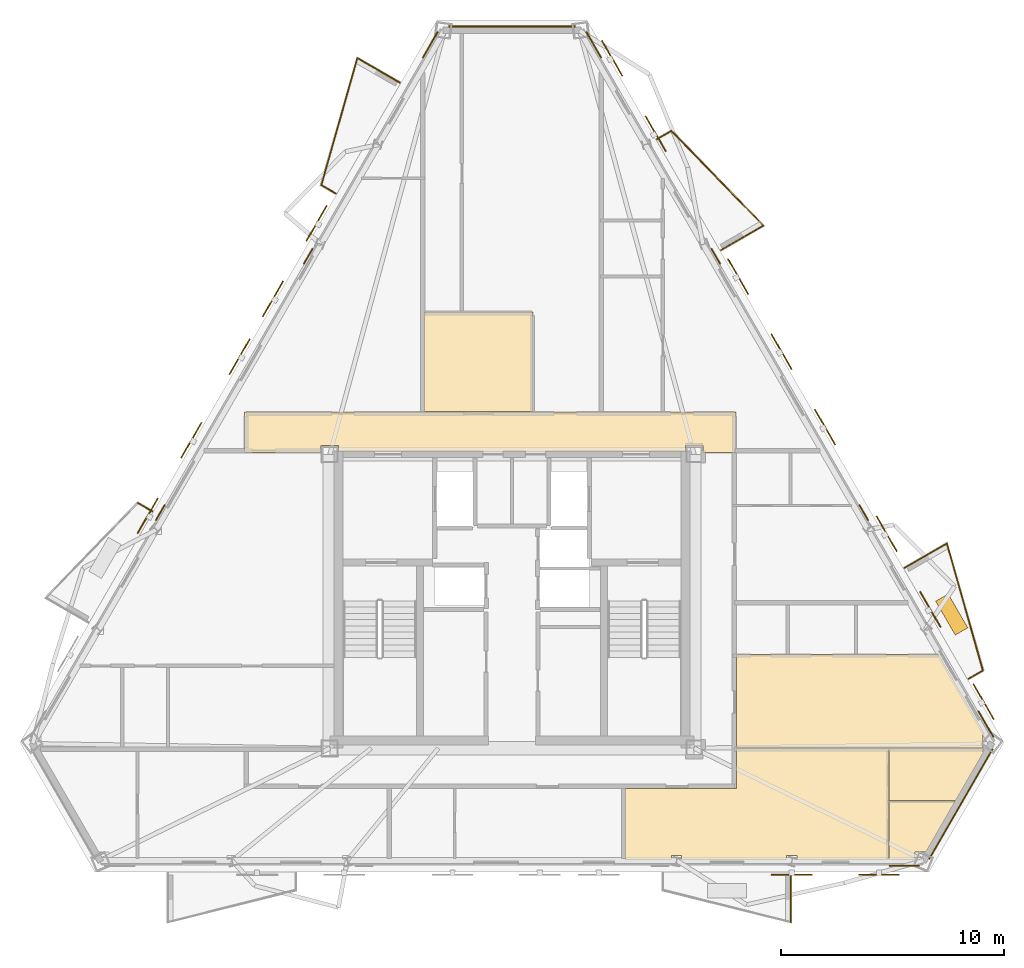
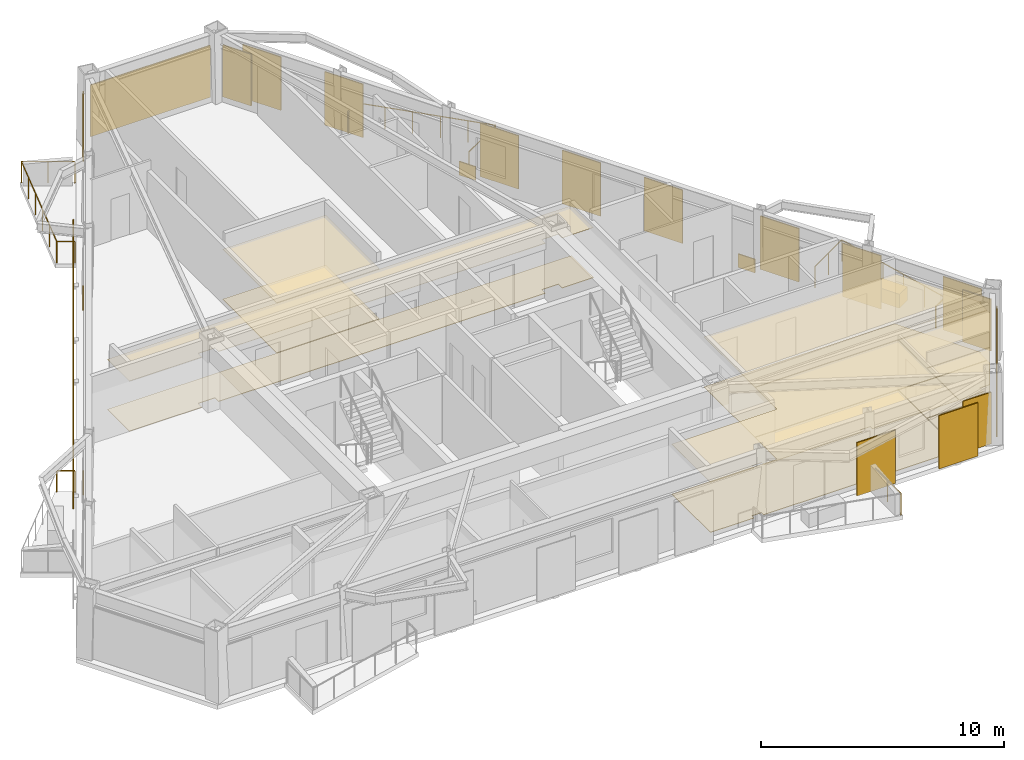
# One storey, part 9 of 9: 23 coverings, 15 shading devices, 11 railings.
"""IFC4 building model written with IfcOpenShell, lengths in metres."""

import ifcopenshell
import ifcopenshell.guid

model = None  # the IFC model being written
_history = None  # IfcOwnerHistory: only IFC2X3 demands one
_inside = {}  # id of a spatial element -> (the spatial element, [elements in it])
_under = {}  # id of a project, library or spatial element -> (it, [spatial elements below it])
_declared = {}  # id of a project -> (the project, [libraries it declares])
_typed = {}  # id of a type object -> (the type object, [elements of that type])
_made_of = {}  # id of a material, layer set ... -> (it, [elements and type objects made of it])


def new_model(schema):
    """Start an empty IFC model of exactly this schema.

    Asked for "IFC4X3", IfcOpenShell would pick the latest addendum, in which some entities
    have other attributes; the version numbers below select the first issue.
    IFC2X3 requires an IfcOwnerHistory on every rooted entity: one is made here for all.
    """
    global model, _history
    if schema == "IFC4X3":
        model = ifcopenshell.file(schema_version=(4, 3, 0, 0))
    else:
        model = ifcopenshell.file(schema=schema)
    _inside.clear()
    _under.clear()
    _declared.clear()
    _typed.clear()
    _made_of.clear()
    _history = None
    if model.schema == "IFC2X3":
        org = make("IfcOrganization", Name="unknown")
        user = make(
            "IfcPersonAndOrganization",
            ThePerson=make("IfcPerson", FamilyName="unknown"),
            TheOrganization=org,
        )
        app = make(
            "IfcApplication",
            ApplicationDeveloper=org,
            Version="unknown",
            ApplicationFullName="unknown",
            ApplicationIdentifier="unknown",
        )
        _history = make(
            "IfcOwnerHistory",
            OwningUser=user,
            OwningApplication=app,
            ChangeAction="ADDED",
            CreationDate=0,
        )
    return model


def make(cls, **values):
    """One entity of the class cls with the attributes given. An attribute that is None is left unset."""
    return model.create_entity(
        cls, **{name: value for name, value in values.items() if value is not None}
    )


def rooted(cls, **values):
    """An entity with a GlobalId (a new one), such as an element, a storey or a relation."""
    return make(cls, GlobalId=ifcopenshell.guid.new(), OwnerHistory=_history, **values)


def si_unit(unit_type, name, prefix=None):
    """IfcSIUnit, for example si_unit("LENGTHUNIT", "METRE", prefix="MILLI")."""
    return make("IfcSIUnit", UnitType=unit_type, Prefix=prefix, Name=name)


def assignment(units):
    """IfcUnitAssignment: the units of a project."""
    return None if units is None else make("IfcUnitAssignment", Units=units)


def point(xyz):
    """IfcCartesianPoint."""
    return None if xyz is None else make("IfcCartesianPoint", Coordinates=xyz)


def direction(xyz):
    """IfcDirection."""
    return None if xyz is None else make("IfcDirection", DirectionRatios=xyz)


def frame(location, z_axis=None, x_axis=None):
    """IfcAxis2Placement3D, a coordinate frame: its origin and axes. An axis left out is left unset."""
    return make(
        "IfcAxis2Placement3D",
        Location=point(location),
        Axis=direction(z_axis),
        RefDirection=direction(x_axis),
    )


def frame_2d(location, x_axis=None):
    """IfcAxis2Placement2D, a coordinate frame in the plane: its origin and x axis."""
    return make(
        "IfcAxis2Placement2D", Location=point(location), RefDirection=direction(x_axis)
    )


def origin():
    """The frame at (0, 0, 0) with its axes left unset."""
    return frame((0.0, 0.0, 0.0))


def origin_2d():
    """The frame at (0, 0) in the plane with its x axis left unset."""
    return frame_2d((0.0, 0.0))


def place(relative_to, where):
    """IfcLocalPlacement: puts the frame where relative to a parent placement (None: the world)."""
    return make(
        "IfcLocalPlacement", PlacementRelTo=relative_to, RelativePlacement=where
    )


def context(
    kind, dimensions, precision=None, world=None, true_north=None, identifier=None
):
    """IfcGeometricRepresentationContext, for example the 3D "Model" context."""
    return make(
        "IfcGeometricRepresentationContext",
        ContextIdentifier=identifier,
        ContextType=kind,
        CoordinateSpaceDimension=dimensions,
        Precision=precision,
        WorldCoordinateSystem=world,
        TrueNorth=true_north,
    )


def subcontext(parent, identifier, kind, view, scale=None):
    """IfcGeometricRepresentationSubContext, for example "Body" below "Model"."""
    return make(
        "IfcGeometricRepresentationSubContext",
        ContextIdentifier=identifier,
        ContextType=kind,
        ParentContext=parent,
        TargetScale=scale,
        TargetView=view,
    )


def project(units=None, contexts=None):
    """IfcProject with its units and contexts."""
    return rooted(
        "IfcProject",
        Name="project",
        RepresentationContexts=contexts,
        UnitsInContext=assignment(units),
    )


def spatial(cls, under=None, at=None, **own):
    """A site, building, storey or space (cls), placed at a placement, below another one or the project."""
    s = rooted(cls, ObjectPlacement=at, **own)
    if under is not None:
        _under.setdefault(under.id(), (under, []))[1].append(s)
    return s


def polyline(points):
    """IfcPolyline through the points."""
    return make("IfcPolyline", Points=[point(p) for p in points])


def profile(cls, at=None, kind="AREA", **sizes):
    """A parametric profile (cls). Its sizes go by their IFC names, for example OverallWidth=200.0."""
    return make(cls, ProfileType=kind, Position=at, **sizes)


def rectangle(**sizes):
    """IfcRectangleProfileDef."""
    return profile("IfcRectangleProfileDef", **sizes)


def circle(**sizes):
    """IfcCircleProfileDef."""
    return profile("IfcCircleProfileDef", **sizes)


def outline(outer, holes=None, kind="AREA"):
    """IfcArbitraryClosedProfileDef: a profile drawn as a closed curve; with holes, ...WithVoids."""
    if holes is None:
        return make("IfcArbitraryClosedProfileDef", ProfileType=kind, OuterCurve=outer)
    return make(
        "IfcArbitraryProfileDefWithVoids",
        ProfileType=kind,
        OuterCurve=outer,
        InnerCurves=holes,
    )


def extrude(swept, where, along, depth):
    """IfcExtrudedAreaSolid: the profile swept, set in the frame where, extruded along a direction by depth."""
    return make(
        "IfcExtrudedAreaSolid",
        SweptArea=swept,
        Position=where,
        ExtrudedDirection=direction(along),
        Depth=depth,
    )


def shape(context_of_items, identifier, shape_type, items):
    """IfcShapeRepresentation: the items that make up one representation, for example the "Body"."""
    return make(
        "IfcShapeRepresentation",
        ContextOfItems=context_of_items,
        RepresentationIdentifier=identifier,
        RepresentationType=shape_type,
        Items=items,
    )


def material(Name=None, Category=None):
    """IfcMaterial."""
    return make("IfcMaterial", Name=Name, Category=Category)


def layer(
    of_material, thickness, ventilated=None, Name=None, Category=None, Priority=None
):
    """IfcMaterialLayer: one layer of a wall or slab, of a material (None: an air gap)."""
    return make(
        "IfcMaterialLayer",
        Material=of_material,
        LayerThickness=thickness,
        IsVentilated=ventilated,
        Name=Name,
        Category=Category,
        Priority=Priority,
    )


def layer_set(layers, Name=None):
    """IfcMaterialLayerSet."""
    return make("IfcMaterialLayerSet", MaterialLayers=layers, LayerSetName=Name)


def made_of(thing, what):
    """Note that an element or type object is made of a material, layer set ...; save() writes the relation."""
    if what is not None:
        _made_of.setdefault(what.id(), (what, []))[1].append(thing)
    return thing


def type_object(cls, material=None, **own):
    """A type object (cls), such as IfcWallType, which elements share."""
    return made_of(rooted(cls, **own), material)


def element(
    cls,
    number,
    at=None,
    inside=None,
    cuts=None,
    type_object=None,
    material=None,
    context=None,
    identifier="Body",
    shape_type=None,
    held_by="IfcProductDefinitionShape",
    body=None,
    shapes=None,
    **own,
):
    """One element of the class cls, such as IfcWall. Its Tag is "e" and its number.

    at: its placement. inside: the storey or other place that contains it. cuts: it is an
    opening in that element (IfcRelVoidsElement). A single representation is given by context,
    identifier, shape_type and body (its items); several are given by shapes. held_by: the class
    of the entity that holds the representations. save() writes the other relations.
    """
    e = rooted(cls, Tag="e%d" % number, ObjectPlacement=at, **own)
    if body is not None:
        shapes = [shape(context, identifier, shape_type, body)]
    if shapes is not None:
        e.Representation = make(held_by, Representations=shapes)
    if inside is not None:
        _inside.setdefault(inside.id(), (inside, []))[1].append(e)
    if cuts is not None:
        rooted(
            "IfcRelVoidsElement", RelatingBuildingElement=cuts, RelatedOpeningElement=e
        )
    if type_object is not None:
        _typed.setdefault(type_object.id(), (type_object, []))[1].append(e)
    return made_of(e, material)


def aggregate(whole, parts):
    """IfcRelAggregates: a whole, such as a stair, and the parts it consists of."""
    return rooted("IfcRelAggregates", RelatingObject=whole, RelatedObjects=parts)


def save(model, path):
    """Write the relations noted so far, then the file.

    IfcRelAggregates (storeys below a building ...), IfcRelContainedInSpatialStructure (elements
    in a storey), IfcRelDefinesByType, IfcRelAssociatesMaterial and IfcRelDeclares: one each for
    every whole, place, type object, material and project.
    """
    for whole, parts in _under.values():
        aggregate(whole, parts)
    for where, things in _inside.values():
        rooted(
            "IfcRelContainedInSpatialStructure",
            RelatedElements=things,
            RelatingStructure=where,
        )
    for kind, things in _typed.values():
        rooted("IfcRelDefinesByType", RelatedObjects=things, RelatingType=kind)
    for what, things in _made_of.values():
        rooted("IfcRelAssociatesMaterial", RelatedObjects=things, RelatingMaterial=what)
    for by, libraries in _declared.values():
        rooted("IfcRelDeclares", RelatingContext=by, RelatedDefinitions=libraries)
    model.write(path)


model = new_model("IFC4")

# Units and contexts
model_context = context("Model", 3, precision=1e-05, world=origin(), true_north=direction((0.0, 1.0)))
body_context = subcontext(model_context, "Body", "Model", "MODEL_VIEW")
ifc_project = project(units=[si_unit("LENGTHUNIT", "METRE"), si_unit("AREAUNIT", "SQUARE_METRE"), si_unit("VOLUMEUNIT", "CUBIC_METRE"), si_unit("PLANEANGLEUNIT", "RADIAN"), si_unit("MASSUNIT", "GRAM", prefix="KILO")], contexts=[model_context])

# Site, building, storey
site_placement = place(None, origin())
site = spatial("IfcSite", under=ifc_project, at=site_placement, CompositionType="ELEMENT")
building_placement = place(site_placement, origin())
building = spatial("IfcBuilding", under=site, at=building_placement, Name="Oramaril Tower", CompositionType="ELEMENT")
storey_placement = place(building_placement, frame((0.0, 0.0, 230.699951171875)))
storey = spatial("IfcBuildingStorey", under=building, at=storey_placement, Name="L61", CompositionType="ELEMENT", Elevation=230.699951171875)

# Coverings
ifc_material_1 = material(Name="Mineral Fibre Acoustic Ceiling")
ifc_layer_1 = layer(ifc_material_1, 0.02001953125)
ifc_layer_set_1 = layer_set([ifc_layer_1], Name="CVT-CEIL")
covering_type_1 = type_object("IfcCoveringType", Name="CVT-CEIL", PredefinedType="CEILING", material=ifc_layer_set_1)
covering_1_placement = place(storey_placement, frame((0.0, 0.0, 2.511962890625)))
element("IfcCovering", 1, at=covering_1_placement, inside=storey, type_object=covering_type_1, Name="L61 Acoustic Suspended Ceiling 2", PredefinedType="CEILING", context=body_context, shape_type="SweptSolid", body=[
    extrude(outline(polyline([(47.530029296875, 24.239990234375), (46.044921875, 24.239990234375), (46.044921875, 24.544921875), (45.2548828125, 24.544921875), (45.2548828125, 24.25), (29.7451171875, 24.25), (29.7451171875, 24.544921875), (28.955078125, 24.544921875), (28.955078125, 24.239990234375), (25.52001953125, 24.239990234375), (25.52001953125, 26.050048828125), (47.530029296875, 26.050048828125), (47.530029296875, 24.239990234375)])), origin(), (0.0, 0.0, 1.0), 0.02001953125),
])
covering_2_placement = place(storey_placement, frame((0.0, 0.0, 2.511962890625)))
element("IfcCovering", 2, at=covering_2_placement, inside=storey, type_object=covering_type_1, Name="L61 Acoustic Suspended Ceiling 4", PredefinedType="CEILING", context=body_context, shape_type="SweptSolid", body=[
    extrude(outline(polyline([(38.44189453125, 30.511962890625), (38.44189453125, 26.070068359375), (33.55810546875, 26.070068359375), (33.55810546875, 30.511962890625), (38.44189453125, 30.511962890625)])), origin(), (0.0, 0.0, 1.0), 0.02001953125),
])
covering_3_placement = place(storey_placement, frame((0.0, 0.0, 2.511962890625)))
element("IfcCovering", 3, at=covering_3_placement, inside=storey, type_object=covering_type_1, Name="L61 Acoustic Suspended Ceiling 9", PredefinedType="CEILING", context=body_context, shape_type="SweptSolid", body=[
    extrude(outline(polyline([(54.34375, 10.991943359375), (54.34375, 6.022216796875), (50.247802734375, 6.022216796875), (50.247802734375, 6.197998046875), (49.791015625, 6.197998046875), (49.791015625, 6.022216796875), (45.089111328125, 6.022216796875), (45.089111328125, 6.197998046875), (44.639404296875, 6.197998046875), (44.639404296875, 6.022216796875), (42.56201171875, 6.022216796875), (42.56201171875, 9.199951171875), (47.530029296875, 9.199951171875), (47.531982421875, 9.2001953125), (47.533935546875, 9.200439453125), (47.535888671875, 9.200927734375), (47.53759765625, 9.201416015625), (47.539306640625, 9.202392578125), (47.541015625, 9.203369140625), (47.542724609375, 9.20458984375), (47.544189453125, 9.205810546875), (47.54541015625, 9.207275390625), (47.546630859375, 9.208984375), (47.547607421875, 9.210693359375), (47.548583984375, 9.21240234375), (47.549072265625, 9.214111328125), (47.549560546875, 9.216064453125), (47.5498046875, 9.218017578125), (47.550048828125, 9.219970703125), (47.550048828125, 10.991943359375), (54.34375, 10.991943359375)])), origin(), (0.0, 0.0, 1.0), 0.02001953125),
])
covering_4_placement = place(storey_placement, frame((0.0, 0.0, 2.511962890625)))
element("IfcCovering", 4, at=covering_4_placement, inside=storey, type_object=covering_type_1, Name="L61 Acoustic Suspended Ceiling 10", PredefinedType="CEILING", context=body_context, shape_type="SweptSolid", body=[
    extrude(outline(polyline([(56.023681640625, 6.348388671875), (55.527587890625, 6.348388671875), (55.527587890625, 6.022216796875), (54.36376953125, 6.022216796875), (54.36376953125, 8.64794921875), (57.351318359375, 8.64794921875), (56.023681640625, 6.348388671875)])), origin(), (0.0, 0.0, 1.0), 0.02001953125),
])
covering_5_placement = place(storey_placement, frame((0.0, 0.0, 2.511962890625)))
element("IfcCovering", 5, at=covering_5_placement, inside=storey, type_object=covering_type_1, Name="L61 Acoustic Suspended Ceiling 11", PredefinedType="CEILING", context=body_context, shape_type="SweptSolid", body=[
    extrude(outline(polyline([(58.571533203125, 10.835205078125), (58.614013671875, 10.835205078125), (57.361328125, 8.665283203125), (57.36083984375, 8.66552734375), (57.35888671875, 8.66650390625), (57.357177734375, 8.6669921875), (57.355224609375, 8.66748046875), (57.353271484375, 8.66796875), (57.351318359375, 8.66796875), (54.36376953125, 8.66796875), (54.36376953125, 10.991943359375), (58.571533203125, 10.991943359375), (58.571533203125, 10.835205078125)])), origin(), (0.0, 0.0, 1.0), 0.02001953125),
])
covering_6_placement = place(storey_placement, frame((0.0, 0.0, 2.511962890625)))
element("IfcCovering", 6, at=covering_6_placement, inside=storey, type_object=covering_type_1, Name="L61 Acoustic Suspended Ceiling 16", PredefinedType="CEILING", context=body_context, shape_type="SweptSolid", body=[
    extrude(outline(polyline([(56.593994140625, 15.18408203125), (58.645751953125, 11.630126953125), (58.571533203125, 11.630126953125), (58.571533203125, 11.011962890625), (54.36376953125, 11.011962890625), (54.36181640625, 11.011962890625), (54.35986328125, 11.01171875), (54.35791015625, 11.010986328125), (54.356201171875, 11.010498046875), (54.3544921875, 11.009521484375), (54.353759765625, 11.00927734375), (54.353271484375, 11.009521484375), (54.3515625, 11.010498046875), (54.349609375, 11.010986328125), (54.34765625, 11.01171875), (54.345703125, 11.011962890625), (54.34375, 11.011962890625), (47.550048828125, 11.011962890625), (47.550048828125, 11.030029296875), (47.5498046875, 11.031982421875), (47.549560546875, 11.033935546875), (47.549072265625, 11.035888671875), (47.548583984375, 11.03759765625), (47.547607421875, 11.039306640625), (47.54736328125, 11.0400390625), (47.547607421875, 11.04052734375), (47.548583984375, 11.042236328125), (47.549072265625, 11.044189453125), (47.549560546875, 11.046142578125), (47.5498046875, 11.048095703125), (47.550048828125, 11.050048828125), (47.550048828125, 15.18408203125), (56.593994140625, 15.18408203125)])), origin(), (0.0, 0.0, 1.0), 0.02001953125),
])
ifc_material_2 = material(Name="Warm Cream Limestone", Category="masonry")
ifc_layer_2 = layer(ifc_material_2, 0.050048828125)
ifc_layer_set_2 = layer_set([ifc_layer_2], Name="CVT-CLD")
covering_type_2 = type_object("IfcCoveringType", Name="CVT-CLD", PredefinedType="CLADDING", material=ifc_layer_set_2)
covering_7_placement = place(storey_placement, frame((55.047607421875, 5.74609375, 0.0400390625), z_axis=(0.0, 0.0, 1.0), x_axis=(1.0, 0.0, 0.0)))
element("IfcCovering", 7, at=covering_7_placement, inside=storey, type_object=covering_type_2, Name="L61 Warm Cream Limestone Cladding", PredefinedType="CLADDING", context=body_context, shape_type="SweptSolid", body=[
    extrude(rectangle(XDim=1.35009765625, YDim=0.050048828125, at=origin_2d()), origin(), (0.0, 0.0, 1.0), 2.596923828125),
])
covering_8_placement = place(storey_placement, frame((57.586181640625, 8.503173828125, 0.0400390625), z_axis=(0.0, 0.0, 1.0), x_axis=(0.499990930976, 0.866030639725, 0.0)))
element("IfcCovering", 8, at=covering_8_placement, inside=storey, type_object=covering_type_2, Name="L61 Warm Cream Limestone Cladding", PredefinedType="CLADDING", context=body_context, shape_type="SweptSolid", body=[
    extrude(rectangle(XDim=5.673095703125, YDim=0.050048828125, at=origin_2d()), origin(), (0.0, 0.0, 1.0), 2.596923828125),
])
for number, where, z_axis, x_axis, name in (
    (9, (58.70458984375, 12.080322265625, 0.0400390625), (0.0, 0.0, 1.0), (-0.500001511499, 0.866024531118, 0.0), "L61 Warm Cream Limestone Cladding"),
    (10, (41.156982421875, 42.4736328125, 0.0400390625), (0.0, 0.0, 1.0), (-0.500001511499, 0.866024531118, 0.0), "L61 Warm Cream Limestone Cladding"),
):
    element("IfcCovering", number, at=place(storey_placement, frame(where, z_axis=z_axis, x_axis=x_axis)), inside=storey, type_object=covering_type_2, Name=name, PredefinedType="CLADDING", context=body_context, shape_type="SweptSolid", body=[
        extrude(rectangle(XDim=1.35009765625, YDim=0.050048828125, at=origin_2d()), origin(), (0.0, 0.0, 1.0), 2.596923828125),
    ])
for number, where, z_axis, x_axis, name in (
    (11, (53.242431640625, 21.541259765625, 0.0400390625), (0.0, 0.0, 1.0), (-0.500001511499, 0.866024531118, 0.0), "L61 Warm Cream Limestone Spandrel Cladding"),
    (12, (46.619140625, 33.0126953125, 0.0400390625), (0.0, 0.0, 1.0), (-0.500001511499, 0.866024531118, 0.0), "L61 Warm Cream Limestone Spandrel Cladding"),
):
    element("IfcCovering", number, at=place(storey_placement, frame(where, z_axis=z_axis, x_axis=x_axis)), inside=storey, type_object=covering_type_2, Name=name, PredefinedType="CLADDING", context=body_context, shape_type="SweptSolid", body=[
        extrude(rectangle(XDim=0.800048828125, YDim=0.050048828125, at=origin_2d()), origin(), (0.0, 0.0, 1.0), 0.679931640625),
    ])
covering_9_placement = place(storey_placement, frame((37.5, 43.293701171875, 0.0400390625), z_axis=(0.0, 0.0, 1.0), x_axis=(-1.0, 0.0, 0.0)))
element("IfcCovering", 13, at=covering_9_placement, inside=storey, type_object=covering_type_2, Name="L61 Warm Cream Limestone Cladding", PredefinedType="CLADDING", context=body_context, shape_type="SweptSolid", body=[
    extrude(rectangle(XDim=5.673095703125, YDim=0.050048828125, at=origin_2d()), origin(), (0.0, 0.0, 1.0), 2.596923828125),
])
covering_10_placement = place(storey_placement, frame((33.843017578125, 42.4736328125, 0.0400390625), z_axis=(0.0, 0.0, 1.0), x_axis=(-0.500001511499, -0.866024531118, 0.0)))
element("IfcCovering", 14, at=covering_10_placement, inside=storey, type_object=covering_type_2, Name="L61 Warm Cream Limestone Cladding", PredefinedType="CLADDING", context=body_context, shape_type="SweptSolid", body=[
    extrude(rectangle(XDim=1.35009765625, YDim=0.050048828125, at=origin_2d()), origin(), (0.0, 0.0, 1.0), 2.596923828125),
])
for number, where, z_axis, x_axis, name in (
    (15, (28.380859375, 33.0126953125, 0.0400390625), (0.0, 0.0, 1.0), (-0.500001511499, -0.866024531118, 0.0), "L61 Warm Cream Limestone Spandrel Cladding"),
    (16, (21.757568359375, 21.541259765625, 0.0400390625), (0.0, 0.0, 1.0), (-0.500001511499, -0.866024531118, 0.0), "L61 Warm Cream Limestone Spandrel Cladding"),
):
    element("IfcCovering", number, at=place(storey_placement, frame(where, z_axis=z_axis, x_axis=x_axis)), inside=storey, type_object=covering_type_2, Name=name, PredefinedType="CLADDING", context=body_context, shape_type="SweptSolid", body=[
        extrude(rectangle(XDim=0.800048828125, YDim=0.050048828125, at=origin_2d()), origin(), (0.0, 0.0, 1.0), 0.679931640625),
    ])
covering_11_placement = place(storey_placement, frame((57.17724609375, 16.98291015625, 0.0), z_axis=(0.0, 0.0, 1.0), x_axis=(-0.500001511499, 0.866024531118, 0.0)))
element("IfcCovering", 17, at=covering_11_placement, inside=storey, type_object=covering_type_2, Name="L61 Structural Tree Planter Box L61-BAL-NE1", PredefinedType="CLADDING", context=body_context, shape_type="SweptSolid", body=[
    extrude(rectangle(XDim=1.75, YDim=0.64990234375, at=origin_2d()), origin(), (0.0, 0.0, 1.0), 0.699951171875),
])
ifc_material_3 = material(Name="Honed Quartzite Stone Flooring", Category="masonry")
ifc_layer_3 = layer(ifc_material_3, 0.02490234375)
ifc_layer_set_3 = layer_set([ifc_layer_3], Name="CVT-FLR")
covering_type_3 = type_object("IfcCoveringType", Name="CVT-FLR", PredefinedType="FLOORING", material=ifc_layer_set_3)
covering_12_placement = place(storey_placement, origin())
element("IfcCovering", 18, at=covering_12_placement, inside=storey, type_object=covering_type_3, Name="L61 Honed Stone Floor Finish 2", PredefinedType="FLOORING", context=body_context, shape_type="SweptSolid", body=[
    extrude(outline(polyline([(47.530029296875, 24.239990234375), (46.044921875, 24.239990234375), (46.044921875, 24.544921875), (45.2548828125, 24.544921875), (45.2548828125, 24.25), (29.7451171875, 24.25), (29.7451171875, 24.544921875), (28.955078125, 24.544921875), (28.955078125, 24.239990234375), (25.52001953125, 24.239990234375), (25.52001953125, 26.050048828125), (47.530029296875, 26.050048828125), (47.530029296875, 24.239990234375)])), origin(), (0.0, 0.0, 1.0), 0.025146484375),
])
covering_13_placement = place(storey_placement, origin())
element("IfcCovering", 19, at=covering_13_placement, inside=storey, type_object=covering_type_3, Name="L61 Honed Stone Floor Finish 4", PredefinedType="FLOORING", context=body_context, shape_type="SweptSolid", body=[
    extrude(outline(polyline([(38.44189453125, 30.511962890625), (38.44189453125, 26.070068359375), (33.55810546875, 26.070068359375), (33.55810546875, 30.511962890625), (38.44189453125, 30.511962890625)])), origin(), (0.0, 0.0, 1.0), 0.025146484375),
])
covering_14_placement = place(storey_placement, origin())
element("IfcCovering", 20, at=covering_14_placement, inside=storey, type_object=covering_type_3, Name="L61 Honed Stone Floor Finish 9", PredefinedType="FLOORING", context=body_context, shape_type="SweptSolid", body=[
    extrude(outline(polyline([(54.34375, 10.991943359375), (54.34375, 6.022216796875), (50.247802734375, 6.022216796875), (50.247802734375, 6.197998046875), (49.791015625, 6.197998046875), (49.791015625, 6.022216796875), (45.089111328125, 6.022216796875), (45.089111328125, 6.197998046875), (44.639404296875, 6.197998046875), (44.639404296875, 6.022216796875), (42.56201171875, 6.022216796875), (42.56201171875, 9.199951171875), (47.530029296875, 9.199951171875), (47.531982421875, 9.2001953125), (47.533935546875, 9.200439453125), (47.535888671875, 9.200927734375), (47.53759765625, 9.201416015625), (47.539306640625, 9.202392578125), (47.541015625, 9.203369140625), (47.542724609375, 9.20458984375), (47.544189453125, 9.205810546875), (47.54541015625, 9.207275390625), (47.546630859375, 9.208984375), (47.547607421875, 9.210693359375), (47.548583984375, 9.21240234375), (47.549072265625, 9.214111328125), (47.549560546875, 9.216064453125), (47.5498046875, 9.218017578125), (47.550048828125, 9.219970703125), (47.550048828125, 10.991943359375), (54.34375, 10.991943359375)])), origin(), (0.0, 0.0, 1.0), 0.025146484375),
])
covering_15_placement = place(storey_placement, origin())
element("IfcCovering", 21, at=covering_15_placement, inside=storey, type_object=covering_type_3, Name="L61 Honed Stone Floor Finish 10", PredefinedType="FLOORING", context=body_context, shape_type="SweptSolid", body=[
    extrude(outline(polyline([(56.023681640625, 6.348388671875), (55.527587890625, 6.348388671875), (55.527587890625, 6.022216796875), (54.36376953125, 6.022216796875), (54.36376953125, 8.64794921875), (57.351318359375, 8.64794921875), (56.023681640625, 6.348388671875)])), origin(), (0.0, 0.0, 1.0), 0.025146484375),
])
covering_16_placement = place(storey_placement, origin())
element("IfcCovering", 22, at=covering_16_placement, inside=storey, type_object=covering_type_3, Name="L61 Honed Stone Floor Finish 11", PredefinedType="FLOORING", context=body_context, shape_type="SweptSolid", body=[
    extrude(outline(polyline([(58.571533203125, 10.835205078125), (58.614013671875, 10.835205078125), (57.361328125, 8.665283203125), (57.36083984375, 8.66552734375), (57.35888671875, 8.66650390625), (57.357177734375, 8.6669921875), (57.355224609375, 8.66748046875), (57.353271484375, 8.66796875), (57.351318359375, 8.66796875), (54.36376953125, 8.66796875), (54.36376953125, 10.991943359375), (58.571533203125, 10.991943359375), (58.571533203125, 10.835205078125)])), origin(), (0.0, 0.0, 1.0), 0.025146484375),
])
covering_17_placement = place(storey_placement, origin())
element("IfcCovering", 23, at=covering_17_placement, inside=storey, type_object=covering_type_3, Name="L61 Honed Stone Floor Finish 16", PredefinedType="FLOORING", context=body_context, shape_type="SweptSolid", body=[
    extrude(outline(polyline([(56.593994140625, 15.18408203125), (58.645751953125, 11.630126953125), (58.571533203125, 11.630126953125), (58.571533203125, 11.011962890625), (54.36376953125, 11.011962890625), (54.36181640625, 11.011962890625), (54.35986328125, 11.01171875), (54.35791015625, 11.010986328125), (54.356201171875, 11.010498046875), (54.3544921875, 11.009521484375), (54.353759765625, 11.00927734375), (54.353271484375, 11.009521484375), (54.3515625, 11.010498046875), (54.349609375, 11.010986328125), (54.34765625, 11.01171875), (54.345703125, 11.011962890625), (54.34375, 11.011962890625), (47.550048828125, 11.011962890625), (47.550048828125, 11.030029296875), (47.5498046875, 11.031982421875), (47.549560546875, 11.033935546875), (47.549072265625, 11.035888671875), (47.548583984375, 11.03759765625), (47.547607421875, 11.039306640625), (47.54736328125, 11.0400390625), (47.547607421875, 11.04052734375), (47.548583984375, 11.042236328125), (47.549072265625, 11.044189453125), (47.549560546875, 11.046142578125), (47.5498046875, 11.048095703125), (47.550048828125, 11.050048828125), (47.550048828125, 15.18408203125), (56.593994140625, 15.18408203125)])), origin(), (0.0, 0.0, 1.0), 0.025146484375),
])

# Railings
ifc_material_4 = material(Name="Stainless Steel 316L", Category="steel")
railing_type = type_object("IfcRailingType", Name="RLT-GRD", PredefinedType="GUARDRAIL", material=ifc_material_4)
railing_1_placement = place(storey_placement, frame((49.978271484375, 5.406005859375, 0.0)))
element("IfcRailing", 24, at=railing_1_placement, inside=storey, type_object=railing_type, Name="L61 Balcony Guardrail L61-BAL-S2.1", PredefinedType="GUARDRAIL", context=body_context, shape_type="SweptSolid", body=[
    extrude(circle(Radius=0.02392578125, at=origin_2d()), frame((0.0, 0.0, 1.076171875), z_axis=(0.0, -1.0, 0.0), x_axis=(1.0, 0.0, 0.0)), (0.0, 0.0, 1.0), 2.19189453125),
    extrude(circle(Radius=0.02099609375, at=origin_2d()), origin(), (0.0, 0.0, 1.0), 1.052001953125),
    extrude(circle(Radius=0.02099609375, at=origin_2d()), frame((0.0, -1.095947265625, 0.0)), (0.0, 0.0, 1.0), 1.052001953125),
    extrude(circle(Radius=0.02099609375, at=origin_2d()), frame((0.0, -2.19189453125, 0.0)), (0.0, 0.0, 1.0), 1.052001953125),
])
railing_2_placement = place(storey_placement, frame((55.06201171875, 19.069580078125, 0.0)))
element("IfcRailing", 25, at=railing_2_placement, inside=storey, type_object=railing_type, Name="L61 Balcony Guardrail L61-BAL-NE1.1", PredefinedType="GUARDRAIL", context=body_context, shape_type="SweptSolid", body=[
    extrude(circle(Radius=0.02392578125, at=origin_2d()), frame((0.0, 0.0, 1.076171875), z_axis=(0.865972267571, 0.50009202333, 0.0), x_axis=(-0.50009202333, 0.865972267571, 0.0)), (0.0, 0.0, 1.0), 2.19189453125),
    extrude(circle(Radius=0.02099609375, at=origin_2d()), origin(), (0.0, 0.0, 1.0), 1.052001953125),
    extrude(circle(Radius=0.02099609375, at=origin_2d()), frame((0.94921875, 0.548095703125, 0.0)), (0.0, 0.0, 1.0), 1.052001953125),
    extrude(circle(Radius=0.02099609375, at=origin_2d()), frame((1.898193359375, 1.09619140625, 0.0)), (0.0, 0.0, 1.0), 1.052001953125),
])
railing_3_placement = place(storey_placement, frame((56.960205078125, 20.165771484375, 0.0)))
element("IfcRailing", 26, at=railing_3_placement, inside=storey, type_object=railing_type, Name="L61 Balcony Guardrail L61-BAL-NE1.2", PredefinedType="GUARDRAIL", context=body_context, shape_type="SweptSolid", body=[
    extrude(circle(Radius=0.02392578125, at=origin_2d()), frame((0.0, 0.0, 1.076171875), z_axis=(0.27224886544, -0.962226873074, 0.0), x_axis=(0.962226873074, 0.27224886544, 0.0)), (0.0, 0.0, 1.0), 5.910400390625),
    extrude(circle(Radius=0.02099609375, at=origin_2d()), origin(), (0.0, 0.0, 1.0), 1.052001953125),
    extrude(circle(Radius=0.02099609375, at=origin_2d()), frame((0.32177734375, -1.137451171875, 0.0)), (0.0, 0.0, 1.0), 1.052001953125),
    extrude(circle(Radius=0.02099609375, at=origin_2d()), frame((0.6435546875, -2.27490234375, 0.0)), (0.0, 0.0, 1.0), 1.052001953125),
    extrude(circle(Radius=0.02099609375, at=origin_2d()), frame((0.965576171875, -3.412353515625, 0.0)), (0.0, 0.0, 1.0), 1.052001953125),
    extrude(circle(Radius=0.02099609375, at=origin_2d()), frame((1.287353515625, -4.5498046875, 0.0)), (0.0, 0.0, 1.0), 1.052001953125),
    extrude(circle(Radius=0.02099609375, at=origin_2d()), frame((1.609130859375, -5.687255859375, 0.0)), (0.0, 0.0, 1.0), 1.052001953125),
])
railing_4_placement = place(storey_placement, frame((58.5693359375, 14.478515625, 0.0)))
element("IfcRailing", 27, at=railing_4_placement, inside=storey, type_object=railing_type, Name="L61 Balcony Guardrail L61-BAL-NE1.3", PredefinedType="GUARDRAIL", context=body_context, shape_type="SweptSolid", body=[
    extrude(circle(Radius=0.02392578125, at=origin_2d()), frame((0.0, 0.0, 1.076171875), z_axis=(-0.865884080729, -0.500244698863, 0.0), x_axis=(0.500244698863, -0.865884080729, 0.0)), (0.0, 0.0, 1.0), 0.741943359375),
    extrude(circle(Radius=0.02099609375, at=origin_2d()), origin(), (0.0, 0.0, 1.0), 1.052001953125),
    extrude(circle(Radius=0.02099609375, at=origin_2d()), frame((-0.642333984375, -0.37109375, 0.0)), (0.0, 0.0, 1.0), 1.052001953125),
])
railing_5_placement = place(storey_placement, frame((43.986083984375, 38.25341796875, 0.0)))
element("IfcRailing", 28, at=railing_5_placement, inside=storey, type_object=railing_type, Name="L61 Balcony Guardrail L61-BAL-NE2.1", PredefinedType="GUARDRAIL", context=body_context, shape_type="SweptSolid", body=[
    extrude(circle(Radius=0.02392578125, at=origin_2d()), frame((0.0, 0.0, 1.076171875), z_axis=(0.866108878364, 0.499855389907, 0.0), x_axis=(-0.499855389907, 0.866108878364, 0.0)), (0.0, 0.0, 1.0), 0.741943359375),
    extrude(circle(Radius=0.02099609375, at=origin_2d()), origin(), (0.0, 0.0, 1.0), 1.052001953125),
    extrude(circle(Radius=0.02099609375, at=origin_2d()), frame((0.642578125, 0.370849609375, 0.0)), (0.0, 0.0, 1.0), 1.052001953125),
])
railing_6_placement = place(storey_placement, frame((44.628662109375, 38.624267578125, 0.0)))
element("IfcRailing", 29, at=railing_6_placement, inside=storey, type_object=railing_type, Name="L61 Balcony Guardrail L61-BAL-NE2.2", PredefinedType="GUARDRAIL", context=body_context, shape_type="SweptSolid", body=[
    extrude(circle(Radius=0.02392578125, at=origin_2d()), frame((0.0, 0.0, 1.076171875), z_axis=(0.697207560153, -0.716869317285, 0.0), x_axis=(0.716869317285, 0.697207560153, 0.0)), (0.0, 0.0, 1.0), 5.910400390625),
    extrude(circle(Radius=0.02099609375, at=origin_2d()), origin(), (0.0, 0.0, 1.0), 1.052001953125),
    extrude(circle(Radius=0.02099609375, at=origin_2d()), frame((0.82421875, -0.847412109375, 0.0)), (0.0, 0.0, 1.0), 1.052001953125),
    extrude(circle(Radius=0.02099609375, at=origin_2d()), frame((1.6484375, -1.69482421875, 0.0)), (0.0, 0.0, 1.0), 1.052001953125),
    extrude(circle(Radius=0.02099609375, at=origin_2d()), frame((2.472412109375, -2.542236328125, 0.0)), (0.0, 0.0, 1.0), 1.052001953125),
    extrude(circle(Radius=0.02099609375, at=origin_2d()), frame((3.296630859375, -3.3896484375, 0.0)), (0.0, 0.0, 1.0), 1.052001953125),
    extrude(circle(Radius=0.02099609375, at=origin_2d()), frame((4.120849609375, -4.237060546875, 0.0)), (0.0, 0.0, 1.0), 1.052001953125),
])
railing_7_placement = place(storey_placement, frame((48.74951171875, 34.38720703125, 0.0)))
element("IfcRailing", 30, at=railing_7_placement, inside=storey, type_object=railing_type, Name="L61 Balcony Guardrail L61-BAL-NE2.3", PredefinedType="GUARDRAIL", context=body_context, shape_type="SweptSolid", body=[
    extrude(circle(Radius=0.02392578125, at=origin_2d()), frame((0.0, 0.0, 1.076171875), z_axis=(-0.865972267571, -0.50009202333, 0.0), x_axis=(0.50009202333, -0.865972267571, 0.0)), (0.0, 0.0, 1.0), 2.19189453125),
    extrude(circle(Radius=0.02099609375, at=origin_2d()), origin(), (0.0, 0.0, 1.0), 1.052001953125),
    extrude(circle(Radius=0.02099609375, at=origin_2d()), frame((-0.94921875, -0.548095703125, 0.0)), (0.0, 0.0, 1.0), 1.052001953125),
    extrude(circle(Radius=0.02099609375, at=origin_2d()), frame((-1.898193359375, -1.09619140625, 0.0)), (0.0, 0.0, 1.0), 1.052001953125),
])
railing_8_placement = place(storey_placement, frame((29.611328125, 35.82421875, 0.0)))
element("IfcRailing", 31, at=railing_8_placement, inside=storey, type_object=railing_type, Name="L61 Balcony Guardrail L61-BAL-NW1.1", PredefinedType="GUARDRAIL", context=body_context, shape_type="SweptSolid", body=[
    extrude(circle(Radius=0.02392578125, at=origin_2d()), frame((0.0, 0.0, 1.076171875), z_axis=(-0.865966403178, 0.500102178127, 0.0), x_axis=(-0.500102178127, -0.865966403178, 0.0)), (0.0, 0.0, 1.0), 0.741943359375),
    extrude(circle(Radius=0.02099609375, at=origin_2d()), origin(), (0.0, 0.0, 1.0), 1.052001953125),
    extrude(circle(Radius=0.02099609375, at=origin_2d()), frame((-0.642578125, 0.37109375, 0.0)), (0.0, 0.0, 1.0), 1.052001953125),
])
railing_9_placement = place(storey_placement, frame((28.96875, 36.1953125, 0.0)))
element("IfcRailing", 32, at=railing_9_placement, inside=storey, type_object=railing_type, Name="L61 Balcony Guardrail L61-BAL-NW1.2", PredefinedType="GUARDRAIL", context=body_context, shape_type="SweptSolid", body=[
    extrude(circle(Radius=0.02392578125, at=origin_2d()), frame((0.0, 0.0, 1.076171875), z_axis=(0.272259686627, 0.962223811303, 0.0), x_axis=(-0.962223811303, 0.272259686627, 0.0)), (0.0, 0.0, 1.0), 5.910400390625),
    extrude(circle(Radius=0.02099609375, at=origin_2d()), origin(), (0.0, 0.0, 1.0), 1.052001953125),
    extrude(circle(Radius=0.02099609375, at=origin_2d()), frame((0.32177734375, 1.137451171875, 0.0)), (0.0, 0.0, 1.0), 1.052001953125),
    extrude(circle(Radius=0.02099609375, at=origin_2d()), frame((0.6435546875, 2.27490234375, 0.0)), (0.0, 0.0, 1.0), 1.052001953125),
    extrude(circle(Radius=0.02099609375, at=origin_2d()), frame((0.965576171875, 3.412109375, 0.0)), (0.0, 0.0, 1.0), 1.052001953125),
    extrude(circle(Radius=0.02099609375, at=origin_2d()), frame((1.287353515625, 4.549560546875, 0.0)), (0.0, 0.0, 1.0), 1.052001953125),
    extrude(circle(Radius=0.02099609375, at=origin_2d()), frame((1.609130859375, 5.68701171875, 0.0)), (0.0, 0.0, 1.0), 1.052001953125),
])
railing_10_placement = place(storey_placement, frame((30.577880859375, 41.88232421875, 0.0)))
element("IfcRailing", 33, at=railing_10_placement, inside=storey, type_object=railing_type, Name="L61 Balcony Guardrail L61-BAL-NW1.3", PredefinedType="GUARDRAIL", context=body_context, shape_type="SweptSolid", body=[
    extrude(circle(Radius=0.02392578125, at=origin_2d()), frame((0.0, 0.0, 1.076171875), z_axis=(0.866048343933, -0.499960264392, 0.0), x_axis=(0.499960264392, 0.866048343933, 0.0)), (0.0, 0.0, 1.0), 2.192138671875),
    extrude(circle(Radius=0.02099609375, at=origin_2d()), origin(), (0.0, 0.0, 1.0), 1.052001953125),
    extrude(circle(Radius=0.02099609375, at=origin_2d()), frame((0.94921875, -0.5478515625, 0.0)), (0.0, 0.0, 1.0), 1.052001953125),
    extrude(circle(Radius=0.02099609375, at=origin_2d()), frame((1.8984375, -1.095947265625, 0.0)), (0.0, 0.0, 1.0), 1.052001953125),
])
railing_11_placement = place(storey_placement, frame((20.758056640625, 21.973876953125, 0.0)))
element("IfcRailing", 34, at=railing_11_placement, inside=storey, type_object=railing_type, Name="L61 Balcony Guardrail L61-BAL-NW2.3", PredefinedType="GUARDRAIL", context=body_context, shape_type="SweptSolid", body=[
    extrude(circle(Radius=0.02392578125, at=origin_2d()), frame((0.0, 0.0, 1.076171875), z_axis=(0.865966403178, -0.500102178127, 0.0), x_axis=(0.500102178127, 0.865966403178, 0.0)), (0.0, 0.0, 1.0), 0.741943359375),
    extrude(circle(Radius=0.02099609375, at=origin_2d()), origin(), (0.0, 0.0, 1.0), 1.052001953125),
    extrude(circle(Radius=0.02099609375, at=origin_2d()), frame((0.642578125, -0.37109375, 0.0)), (0.0, 0.0, 1.0), 1.052001953125),
])

# Shading devices
for number, where, z_axis, x_axis, name in (
    (35, (50.022705078125, 5.333984375, -0.02001953125), (0.0, 0.0, 1.0), (1.0, 0.0, 0.0), "L61 Perforated Ceramic Solar Screen"),
    (36, (53.922607421875, 5.333984375, -0.02001953125), (0.0, 0.0, 1.0), (1.0, 0.0, 0.0), "L61 Perforated Ceramic Solar Screen"),
    (37, (58.60205078125, 13.081787109375, -0.02001953125), (0.0, 0.0, 1.0), (-0.500001511499, 0.866024531118, 0.0), "L61 Perforated Ceramic Solar Screen"),
    (38, (56.21728515625, 17.212646484375, -0.02001953125), (0.0, 0.0, 1.0), (-0.500001511499, 0.866024531118, 0.0), "L61 Perforated Ceramic Solar Screen"),
    (39, (54.26708984375, 20.590087890625, -0.02001953125), (0.0, 0.0, 1.0), (-0.500001511499, 0.866024531118, 0.0), "L61 Perforated Ceramic Solar Screen"),
    (40, (43.92919921875, 38.49609375, -0.02001953125), (0.0, 0.0, 1.0), (-0.500001511499, 0.866024531118, 0.0), "L61 Perforated Ceramic Solar Screen"),
    (41, (41.979248046875, 41.87353515625, -0.02001953125), (0.0, 0.0, 1.0), (-0.500001511499, 0.866024531118, 0.0), "L61 Perforated Ceramic Solar Screen"),
    (42, (51.509521484375, 25.36669921875, -0.02001953125), (0.0, 0.0, 1.0), (-0.500001511499, 0.866024531118, 0.0), "L61 Perforated Ceramic Solar Screen"),
    (43, (49.559326171875, 28.744384765625, -0.02001953125), (0.0, 0.0, 1.0), (-0.500001511499, 0.866024531118, 0.0), "L61 Perforated Ceramic Solar Screen"),
    (44, (47.618408203125, 32.106201171875, -0.02001953125), (0.0, 0.0, 1.0), (-0.500001511499, 0.866024531118, 0.0), "L61 Perforated Ceramic Solar Screen"),
    (45, (23.150634765625, 24.77783203125, -0.02001953125), (0.0, 0.0, 1.0), (-0.500001511499, -0.866024531118, 0.0), "L61 Perforated Ceramic Solar Screen"),
    (46, (21.20068359375, 21.400390625, -0.02001953125), (0.0, 0.0, 1.0), (-0.500001511499, -0.866024531118, 0.0), "L61 Perforated Ceramic Solar Screen"),
    (47, (28.755126953125, 34.485107421875, -0.02001953125), (0.0, 0.0, 1.0), (-0.500001511499, -0.866024531118, 0.0), "L61 Perforated Ceramic Solar Screen"),
    (48, (26.80517578125, 31.107666015625, -0.02001953125), (0.0, 0.0, 1.0), (-0.500001511499, -0.866024531118, 0.0), "L61 Perforated Ceramic Solar Screen"),
    (49, (25.3134765625, 28.52392578125, -0.02001953125), (0.0, 0.0, 1.0), (-0.500001511499, -0.866024531118, 0.0), "L61 Perforated Ceramic Solar Screen"),
):
    element("IfcShadingDevice", number, at=place(storey_placement, frame(where, z_axis=z_axis, x_axis=x_axis)), inside=storey, Name=name, ObjectType="SCREEN", PredefinedType="USERDEFINED", context=body_context, shape_type="SweptSolid", body=[
        extrude(rectangle(XDim=1.8330078125, YDim=0.050048828125, at=origin_2d()), origin(), (0.0, 0.0, 1.0), 2.677001953125),
    ])

save(model, "model.ifc")
